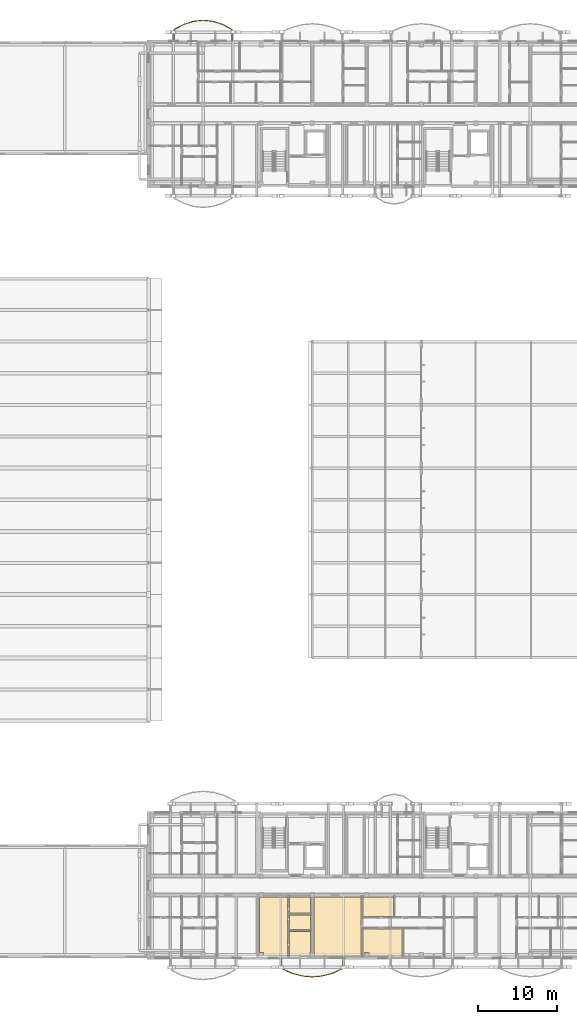
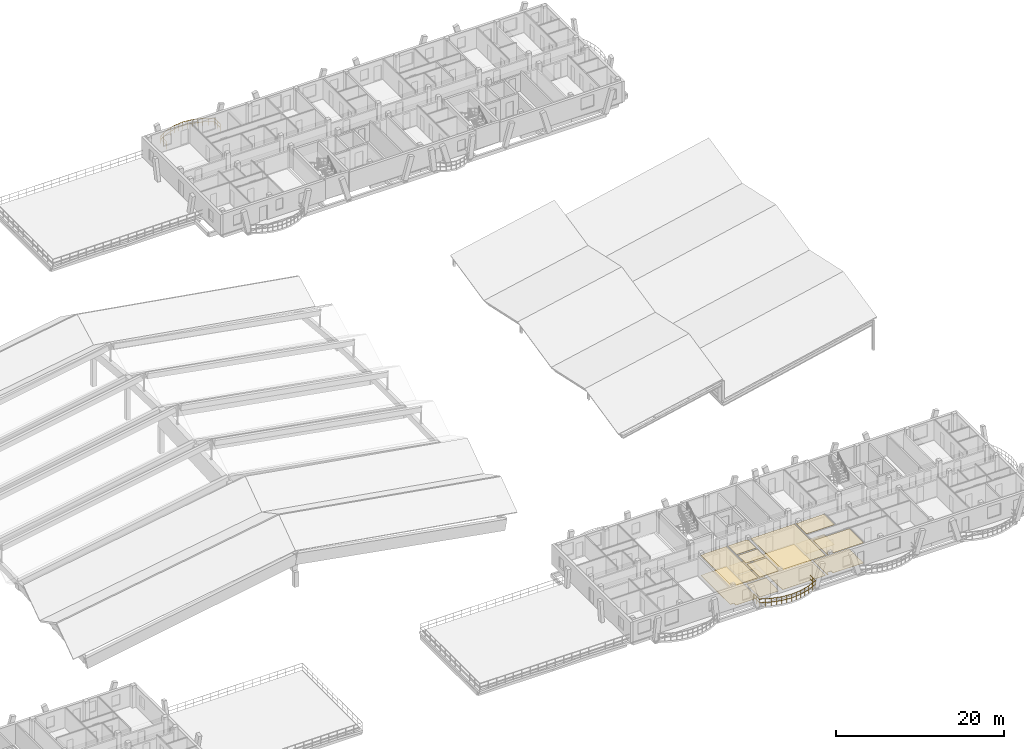
# One storey, part 100 of 109: 14 coverings, 2 railings.
"""IFC4 building model written with IfcOpenShell, lengths in metres."""

from ifc_helpers import new_model, si_unit, direction, frame, origin, origin_2d, place, context, subcontext, project, spatial, polyline, rectangle, outline, extrude, material, layer, layer_set, type_object, element, save


model = new_model("IFC4")

# Units and contexts
model_context = context("Model", 3, precision=1e-05, world=origin(), true_north=direction((0.0, 1.0)))
body_context = subcontext(model_context, "Body", "Model", "MODEL_VIEW")
ifc_project = project(units=[si_unit("LENGTHUNIT", "METRE"), si_unit("AREAUNIT", "SQUARE_METRE"), si_unit("VOLUMEUNIT", "CUBIC_METRE"), si_unit("PLANEANGLEUNIT", "RADIAN"), si_unit("MASSUNIT", "GRAM", prefix="KILO")], contexts=[model_context])

# Site, building, storey
site_placement = place(None, origin())
site = spatial("IfcSite", under=ifc_project, at=site_placement, CompositionType="ELEMENT")
building_placement = place(site_placement, origin())
building = spatial("IfcBuilding", under=site, at=building_placement, Name="Zavelmont Quarter", CompositionType="ELEMENT")
storey_placement = place(building_placement, frame((0.0, 0.0, 8.0)))
storey = spatial("IfcBuildingStorey", under=building, at=storey_placement, Name="L02", CompositionType="ELEMENT", Elevation=8.0)

# Coverings
ifc_material_1 = material(Name="Perforated acoustic gypsum board")
ifc_layer_1 = layer(ifc_material_1, 0.02490234375)
ifc_layer_set_1 = layer_set([ifc_layer_1], Name="Perforated acoustic gypsum board")
covering_type_1 = type_object("IfcCoveringType", Name="CV-CL01", PredefinedType="CEILING", material=ifc_layer_set_1)
covering_1_placement = place(storey_placement, frame((0.0, 0.0, 2.9150390625)))
element("IfcCovering", 1, at=covering_1_placement, inside=storey, type_object=covering_type_1, Name="L02 Living Dining acoustic ceiling", PredefinedType="CEILING", context=body_context, shape_type="SweptSolid", body=[
    extrude(outline(polyline([(126.830078125, 7.7099609375), (127.330078125, 7.7099609375), (127.330078125, 7.77001953125), (130.3701171875, 7.77001953125), (130.3701171875, 0.280029296875), (127.330078125, 0.280029296875), (127.330078125, 0.72998046875), (126.830078125, 0.72998046875), (126.830078125, 7.7099609375)])), origin(), (0.0, 0.0, 1.0), 0.02490234375),
])
covering_2_placement = place(storey_placement, frame((0.0, 0.0, 2.9150390625)))
element("IfcCovering", 2, at=covering_2_placement, inside=storey, type_object=covering_type_1, Name="L02 Kitchen acoustic ceiling", PredefinedType="CEILING", context=body_context, shape_type="SweptSolid", body=[
    extrude(outline(polyline([(130.6298828125, 7.77001953125), (133.2099609375, 7.77001953125), (133.2099609375, 7.7099609375), (133.27001953125, 7.7099609375), (133.27001953125, 5.72998046875), (130.6298828125, 5.72998046875), (130.6298828125, 7.77001953125)])), origin(), (0.0, 0.0, 1.0), 0.02490234375),
])
covering_3_placement = place(storey_placement, frame((0.0, 0.0, 2.9150390625)))
element("IfcCovering", 3, at=covering_3_placement, inside=storey, type_object=covering_type_1, Name="L02 Single Bedroom acoustic ceiling", PredefinedType="CEILING", context=body_context, shape_type="SweptSolid", body=[
    extrude(outline(polyline([(130.6298828125, 3.3701171875), (133.27001953125, 3.3701171875), (133.27001953125, 0.72998046875), (133.2099609375, 0.72998046875), (133.2099609375, 0.280029296875), (130.6298828125, 0.280029296875), (130.6298828125, 3.3701171875)])), origin(), (0.0, 0.0, 1.0), 0.02490234375),
])
covering_4_placement = place(storey_placement, frame((0.0, 0.0, 2.9150390625)))
element("IfcCovering", 4, at=covering_4_placement, inside=storey, type_object=covering_type_1, Name="L02 Living Dining acoustic ceiling", PredefinedType="CEILING", context=body_context, shape_type="SweptSolid", body=[
    extrude(outline(polyline([(133.72998046875, 7.7099609375), (133.7900390625, 7.7099609375), (133.7900390625, 7.77001953125), (139.669921875, 7.77001953125), (139.669921875, 0.280029296875), (133.7900390625, 0.280029296875), (133.7900390625, 0.72998046875), (133.72998046875, 0.72998046875), (133.72998046875, 7.7099609375)])), origin(), (0.0, 0.0, 1.0), 0.02490234375),
])
covering_5_placement = place(storey_placement, frame((0.0, 0.0, 2.9150390625)))
element("IfcCovering", 5, at=covering_5_placement, inside=storey, type_object=covering_type_1, Name="L02 Kitchen acoustic ceiling", PredefinedType="CEILING", context=body_context, shape_type="SweptSolid", body=[
    extrude(outline(polyline([(139.929931640625, 7.77001953125), (140.110107421875, 7.77001953125), (140.110107421875, 7.7099609375), (140.68994140625, 7.7099609375), (140.68994140625, 7.77001953125), (143.77001953125, 7.77001953125), (143.77001953125, 5.280029296875), (139.929931640625, 5.280029296875), (139.929931640625, 7.77001953125)])), origin(), (0.0, 0.0, 1.0), 0.02490234375),
])
covering_6_placement = place(storey_placement, frame((0.0, 0.0, 2.9150390625)))
element("IfcCovering", 6, at=covering_6_placement, inside=storey, type_object=covering_type_1, Name="L02 Single Bedroom acoustic ceiling", PredefinedType="CEILING", context=body_context, shape_type="SweptSolid", body=[
    extrude(outline(polyline([(139.929931640625, 3.669921875), (144.8701171875, 3.669921875), (144.8701171875, 0.280029296875), (140.68994140625, 0.280029296875), (140.68994140625, 0.72998046875), (140.110107421875, 0.72998046875), (140.110107421875, 0.280029296875), (139.929931640625, 0.280029296875), (139.929931640625, 3.669921875)])), origin(), (0.0, 0.0, 1.0), 0.02490234375),
])
ifc_material_2 = material(Name="Moisture-resistant painted gypsum ceiling")
ifc_layer_2 = layer(ifc_material_2, 0.02001953125)
ifc_layer_set_2 = layer_set([ifc_layer_2], Name="Moisture-resistant painted gypsum ceiling")
covering_type_2 = type_object("IfcCoveringType", Name="CV-CL04", PredefinedType="CEILING", material=ifc_layer_set_2)
covering_7_placement = place(storey_placement, frame((0.0, 0.0, 2.919921875)))
element("IfcCovering", 7, at=covering_7_placement, inside=storey, type_object=covering_type_2, Name="L02 Bathroom acoustic ceiling", PredefinedType="CEILING", context=body_context, shape_type="SweptSolid", body=[
    extrude(outline(polyline([(130.6298828125, 5.469970703125), (133.27001953125, 5.469970703125), (133.27001953125, 3.6298828125), (130.6298828125, 3.6298828125), (130.6298828125, 5.469970703125)])), origin(), (0.0, 0.0, 1.0), 0.02001953125),
])
ifc_material_3 = material(Name="Engineered European oak parquet")
ifc_layer_3 = layer(ifc_material_3, 0.02197265625)
ifc_layer_set_3 = layer_set([ifc_layer_3], Name="Engineered European oak parquet")
covering_type_3 = type_object("IfcCoveringType", Name="CV-FL01", PredefinedType="FLOORING", material=ifc_layer_set_3)
covering_8_placement = place(storey_placement, origin())
element("IfcCovering", 8, at=covering_8_placement, inside=storey, type_object=covering_type_3, Name="L02 Living Dining floor finish", PredefinedType="FLOORING", context=body_context, shape_type="SweptSolid", body=[
    extrude(outline(polyline([(126.830078125, 7.7099609375), (127.330078125, 7.7099609375), (127.330078125, 7.77001953125), (130.3701171875, 7.77001953125), (130.3701171875, 0.280029296875), (127.330078125, 0.280029296875), (127.330078125, 0.72998046875), (126.830078125, 0.72998046875), (126.830078125, 7.7099609375)])), origin(), (0.0, 0.0, 1.0), 0.02197265625),
])
covering_9_placement = place(storey_placement, origin())
element("IfcCovering", 9, at=covering_9_placement, inside=storey, type_object=covering_type_3, Name="L02 Kitchen floor finish", PredefinedType="FLOORING", context=body_context, shape_type="SweptSolid", body=[
    extrude(outline(polyline([(130.6298828125, 7.77001953125), (133.2099609375, 7.77001953125), (133.2099609375, 7.7099609375), (133.27001953125, 7.7099609375), (133.27001953125, 5.72998046875), (130.6298828125, 5.72998046875), (130.6298828125, 7.77001953125)])), origin(), (0.0, 0.0, 1.0), 0.02197265625),
])
covering_10_placement = place(storey_placement, origin())
element("IfcCovering", 10, at=covering_10_placement, inside=storey, type_object=covering_type_3, Name="L02 Single Bedroom floor finish", PredefinedType="FLOORING", context=body_context, shape_type="SweptSolid", body=[
    extrude(outline(polyline([(130.6298828125, 3.3701171875), (133.27001953125, 3.3701171875), (133.27001953125, 0.72998046875), (133.2099609375, 0.72998046875), (133.2099609375, 0.280029296875), (130.6298828125, 0.280029296875), (130.6298828125, 3.3701171875)])), origin(), (0.0, 0.0, 1.0), 0.02197265625),
])
covering_11_placement = place(storey_placement, origin())
element("IfcCovering", 11, at=covering_11_placement, inside=storey, type_object=covering_type_3, Name="L02 Living Dining floor finish", PredefinedType="FLOORING", context=body_context, shape_type="SweptSolid", body=[
    extrude(outline(polyline([(133.72998046875, 7.7099609375), (133.7900390625, 7.7099609375), (133.7900390625, 7.77001953125), (139.669921875, 7.77001953125), (139.669921875, 0.280029296875), (133.7900390625, 0.280029296875), (133.7900390625, 0.72998046875), (133.72998046875, 0.72998046875), (133.72998046875, 7.7099609375)])), origin(), (0.0, 0.0, 1.0), 0.02197265625),
])
covering_12_placement = place(storey_placement, origin())
element("IfcCovering", 12, at=covering_12_placement, inside=storey, type_object=covering_type_3, Name="L02 Kitchen floor finish", PredefinedType="FLOORING", context=body_context, shape_type="SweptSolid", body=[
    extrude(outline(polyline([(139.929931640625, 7.77001953125), (140.110107421875, 7.77001953125), (140.110107421875, 7.7099609375), (140.68994140625, 7.7099609375), (140.68994140625, 7.77001953125), (143.77001953125, 7.77001953125), (143.77001953125, 5.280029296875), (139.929931640625, 5.280029296875), (139.929931640625, 7.77001953125)])), origin(), (0.0, 0.0, 1.0), 0.02197265625),
])
covering_13_placement = place(storey_placement, origin())
element("IfcCovering", 13, at=covering_13_placement, inside=storey, type_object=covering_type_3, Name="L02 Single Bedroom floor finish", PredefinedType="FLOORING", context=body_context, shape_type="SweptSolid", body=[
    extrude(outline(polyline([(139.929931640625, 3.669921875), (144.8701171875, 3.669921875), (144.8701171875, 0.280029296875), (140.68994140625, 0.280029296875), (140.68994140625, 0.72998046875), (140.110107421875, 0.72998046875), (140.110107421875, 0.280029296875), (139.929931640625, 0.280029296875), (139.929931640625, 3.669921875)])), origin(), (0.0, 0.0, 1.0), 0.02197265625),
])
ifc_material_4 = material(Name="Slip-resistant porcelain tile")
ifc_layer_4 = layer(ifc_material_4, 0.02587890625)
ifc_layer_set_4 = layer_set([ifc_layer_4], Name="Slip-resistant porcelain tile")
covering_type_4 = type_object("IfcCoveringType", Name="CV-FL04", PredefinedType="FLOORING", material=ifc_layer_set_4)
covering_14_placement = place(storey_placement, origin())
element("IfcCovering", 14, at=covering_14_placement, inside=storey, type_object=covering_type_4, Name="L02 Bathroom floor finish", PredefinedType="FLOORING", context=body_context, shape_type="SweptSolid", body=[
    extrude(outline(polyline([(130.6298828125, 5.469970703125), (133.27001953125, 5.469970703125), (133.27001953125, 3.6298828125), (130.6298828125, 3.6298828125), (130.6298828125, 5.469970703125)])), origin(), (0.0, 0.0, 1.0), 0.02587890625),
])

# Railings
ifc_material_5 = material(Name="Powder-coated steel and tempered double safety glass", Category="steel")
railing_type = type_object("IfcRailingType", Name="RL-BAL1", PredefinedType="BALUSTRADE", material=ifc_material_5)
railing_1_placement = place(storey_placement, frame((123.3740234375, 116.02001953125, 0.0)))
element("IfcRailing", 15, at=railing_1_placement, inside=storey, type_object=railing_type, Name="L02 Block C curved balcony guard RL-BAL1", PredefinedType="BALUSTRADE", context=body_context, shape_type="SweptSolid", body=[
    extrude(rectangle(XDim=0.048095703125, YDim=0.048095703125, at=origin_2d()), frame((0.0, 0.0, 1.076171875), z_axis=(0.0, 1.0, 0.0), x_axis=(-1.0, 0.0, 0.0)), (0.0, 0.0, 1.0), 1.468994140625),
    extrude(rectangle(XDim=0.048095703125, YDim=0.048095703125, at=origin_2d()), frame((0.0, 0.0, 0.550048828125), z_axis=(0.0, 1.0, 0.0), x_axis=(-1.0, 0.0, 0.0)), (0.0, 0.0, 1.0), 1.468994140625),
    extrude(rectangle(XDim=0.048095703125, YDim=0.048095703125, at=origin_2d()), frame((0.0, 1.468994140625, 1.076171875), z_axis=(-0.883316282418, 0.468777500757, 0.0), x_axis=(-0.468777500757, -0.883316282418, 0.0)), (0.0, 0.0, 1.0), 1.386474609375),
    extrude(rectangle(XDim=0.048095703125, YDim=0.048095703125, at=origin_2d()), frame((0.0, 1.468994140625, 0.550048828125), z_axis=(-0.883316282418, 0.468777500757, 0.0), x_axis=(-0.468777500757, -0.883316282418, 0.0)), (0.0, 0.0, 1.0), 1.386474609375),
    extrude(rectangle(XDim=0.048095703125, YDim=0.048095703125, at=origin_2d()), frame((-1.224609375, 2.118896484375, 1.076171875), z_axis=(-0.952815949757, 0.303548621952, 0.0), x_axis=(-0.303548621952, -0.952815949757, 0.0)), (0.0, 0.0, 1.0), 1.28515625),
    extrude(rectangle(XDim=0.048095703125, YDim=0.048095703125, at=origin_2d()), frame((-1.224609375, 2.118896484375, 0.550048828125), z_axis=(-0.952815949757, 0.303548621952, 0.0), x_axis=(-0.303548621952, -0.952815949757, 0.0)), (0.0, 0.0, 1.0), 1.28515625),
    extrude(rectangle(XDim=0.048095703125, YDim=0.048095703125, at=origin_2d()), frame((-2.44921875, 2.509033203125, 1.076171875), z_axis=(-0.994424789326, 0.105448273455, 0.0), x_axis=(-0.105448273455, -0.994424789326, 0.0)), (0.0, 0.0, 1.0), 1.231689453125),
    extrude(rectangle(XDim=0.048095703125, YDim=0.048095703125, at=origin_2d()), frame((-2.44921875, 2.509033203125, 0.550048828125), z_axis=(-0.994424789326, 0.105448273455, 0.0), x_axis=(-0.105448273455, -0.994424789326, 0.0)), (0.0, 0.0, 1.0), 1.231689453125),
    extrude(rectangle(XDim=0.048095703125, YDim=0.048095703125, at=origin_2d()), frame((-3.674072265625, 2.638916015625, 1.076171875), z_axis=(-0.994422584698, -0.105469062013, 0.0), x_axis=(0.105469062013, -0.994422584698, 0.0)), (0.0, 0.0, 1.0), 1.2314453125),
    extrude(rectangle(XDim=0.048095703125, YDim=0.048095703125, at=origin_2d()), frame((-3.674072265625, 2.638916015625, 0.550048828125), z_axis=(-0.994422584698, -0.105469062013, 0.0), x_axis=(0.105469062013, -0.994422584698, 0.0)), (0.0, 0.0, 1.0), 1.2314453125),
    extrude(rectangle(XDim=0.048095703125, YDim=0.048095703125, at=origin_2d()), frame((-4.898681640625, 2.509033203125, 1.076171875), z_axis=(-0.952833447826, -0.303493691374, 0.0), x_axis=(0.303493691374, -0.952833447826, 0.0)), (0.0, 0.0, 1.0), 1.285400390625),
    extrude(rectangle(XDim=0.048095703125, YDim=0.048095703125, at=origin_2d()), frame((-4.898681640625, 2.509033203125, 0.550048828125), z_axis=(-0.952833447826, -0.303493691374, 0.0), x_axis=(0.303493691374, -0.952833447826, 0.0)), (0.0, 0.0, 1.0), 1.285400390625),
    extrude(rectangle(XDim=0.048095703125, YDim=0.048095703125, at=origin_2d()), frame((-6.12353515625, 2.118896484375, 1.076171875), z_axis=(-0.883316282418, -0.468777500757, 0.0), x_axis=(0.468777500757, -0.883316282418, 0.0)), (0.0, 0.0, 1.0), 1.386474609375),
    extrude(rectangle(XDim=0.048095703125, YDim=0.048095703125, at=origin_2d()), frame((-6.12353515625, 2.118896484375, 0.550048828125), z_axis=(-0.883316282418, -0.468777500757, 0.0), x_axis=(0.468777500757, -0.883316282418, 0.0)), (0.0, 0.0, 1.0), 1.386474609375),
    extrude(rectangle(XDim=0.048095703125, YDim=0.048095703125, at=origin_2d()), frame((-7.34814453125, 1.468994140625, 1.076171875), z_axis=(0.0, -1.0, 0.0), x_axis=(1.0, 0.0, 0.0)), (0.0, 0.0, 1.0), 1.468994140625),
    extrude(rectangle(XDim=0.048095703125, YDim=0.048095703125, at=origin_2d()), frame((-7.34814453125, 1.468994140625, 0.550048828125), z_axis=(0.0, -1.0, 0.0), x_axis=(1.0, 0.0, 0.0)), (0.0, 0.0, 1.0), 1.468994140625),
    extrude(rectangle(XDim=0.0419921875, YDim=0.0419921875, at=origin_2d()), origin(), (0.0, 0.0, 1.0), 1.052001953125),
    extrude(rectangle(XDim=0.0419921875, YDim=0.0419921875, at=origin_2d()), frame((0.0, 0.734375, 0.0)), (0.0, 0.0, 1.0), 1.052001953125),
    extrude(rectangle(XDim=0.0419921875, YDim=0.0419921875, at=origin_2d()), frame((0.0, 1.468994140625, 0.0)), (0.0, 0.0, 1.0), 1.052001953125),
    extrude(rectangle(XDim=0.0419921875, YDim=0.0419921875, at=origin_2d()), frame((-0.6123046875, 1.7939453125, 0.0)), (0.0, 0.0, 1.0), 1.052001953125),
    extrude(rectangle(XDim=0.0419921875, YDim=0.0419921875, at=origin_2d()), frame((-1.224609375, 2.118896484375, 0.0)), (0.0, 0.0, 1.0), 1.052001953125),
    extrude(rectangle(XDim=0.0419921875, YDim=0.0419921875, at=origin_2d()), frame((-1.8369140625, 2.31396484375, 0.0)), (0.0, 0.0, 1.0), 1.052001953125),
    extrude(rectangle(XDim=0.0419921875, YDim=0.0419921875, at=origin_2d()), frame((-2.44921875, 2.509033203125, 0.0)), (0.0, 0.0, 1.0), 1.052001953125),
    extrude(rectangle(XDim=0.0419921875, YDim=0.0419921875, at=origin_2d()), frame((-3.0615234375, 2.573974609375, 0.0)), (0.0, 0.0, 1.0), 1.052001953125),
    extrude(rectangle(XDim=0.0419921875, YDim=0.0419921875, at=origin_2d()), frame((-3.674072265625, 2.638916015625, 0.0)), (0.0, 0.0, 1.0), 1.052001953125),
    extrude(rectangle(XDim=0.0419921875, YDim=0.0419921875, at=origin_2d()), frame((-4.286376953125, 2.573974609375, 0.0)), (0.0, 0.0, 1.0), 1.052001953125),
    extrude(rectangle(XDim=0.0419921875, YDim=0.0419921875, at=origin_2d()), frame((-4.898681640625, 2.509033203125, 0.0)), (0.0, 0.0, 1.0), 1.052001953125),
    extrude(rectangle(XDim=0.0419921875, YDim=0.0419921875, at=origin_2d()), frame((-5.51123046875, 2.31396484375, 0.0)), (0.0, 0.0, 1.0), 1.052001953125),
    extrude(rectangle(XDim=0.0419921875, YDim=0.0419921875, at=origin_2d()), frame((-6.12353515625, 2.118896484375, 0.0)), (0.0, 0.0, 1.0), 1.052001953125),
    extrude(rectangle(XDim=0.0419921875, YDim=0.0419921875, at=origin_2d()), frame((-6.73583984375, 1.7939453125, 0.0)), (0.0, 0.0, 1.0), 1.052001953125),
    extrude(rectangle(XDim=0.0419921875, YDim=0.0419921875, at=origin_2d()), frame((-7.34814453125, 1.468994140625, 0.0)), (0.0, 0.0, 1.0), 1.052001953125),
    extrude(rectangle(XDim=0.0419921875, YDim=0.0419921875, at=origin_2d()), frame((-7.34814453125, 0.734375, 0.0)), (0.0, 0.0, 1.0), 1.052001953125),
    extrude(rectangle(XDim=0.0419921875, YDim=0.0419921875, at=origin_2d()), frame((-7.34814453125, 0.0, 0.0)), (0.0, 0.0, 1.0), 1.052001953125),
])
railing_2_placement = place(storey_placement, frame((129.6416015625, -0.02001953125, 0.0)))
element("IfcRailing", 16, at=railing_2_placement, inside=storey, type_object=railing_type, Name="L02 Block D curved balcony guard RL-BAL1", PredefinedType="BALUSTRADE", context=body_context, shape_type="SweptSolid", body=[
    extrude(rectangle(XDim=0.048095703125, YDim=0.048095703125, at=origin_2d()), frame((0.0, 0.0, 1.076171875), z_axis=(0.0, -1.0, 0.0), x_axis=(1.0, 0.0, 0.0)), (0.0, 0.0, 1.0), 1.312744140625),
    extrude(rectangle(XDim=0.048095703125, YDim=0.048095703125, at=origin_2d()), frame((0.0, 0.0, 0.550048828125), z_axis=(0.0, -1.0, 0.0), x_axis=(1.0, 0.0, 0.0)), (0.0, 0.0, 1.0), 1.312744140625),
    extrude(rectangle(XDim=0.048095703125, YDim=0.048095703125, at=origin_2d()), frame((0.0, -1.312744140625, 1.076171875), z_axis=(0.911117201035, -0.412147359542, 0.0), x_axis=(0.412147359542, 0.911117201035, 0.0)), (0.0, 0.0, 1.0), 1.41162109375),
    extrude(rectangle(XDim=0.048095703125, YDim=0.048095703125, at=origin_2d()), frame((0.0, -1.312744140625, 0.550048828125), z_axis=(0.911117201035, -0.412147359542, 0.0), x_axis=(0.412147359542, 0.911117201035, 0.0)), (0.0, 0.0, 1.0), 1.41162109375),
    extrude(rectangle(XDim=0.048095703125, YDim=0.048095703125, at=origin_2d()), frame((1.2861328125, -1.89453125, 1.076171875), z_axis=(0.965075981526, -0.261970131659, 0.0), x_axis=(0.261970131659, 0.965075981526, 0.0)), (0.0, 0.0, 1.0), 1.332763671875),
    extrude(rectangle(XDim=0.048095703125, YDim=0.048095703125, at=origin_2d()), frame((1.2861328125, -1.89453125, 0.550048828125), z_axis=(0.965075981526, -0.261970131659, 0.0), x_axis=(0.261970131659, 0.965075981526, 0.0)), (0.0, 0.0, 1.0), 1.332763671875),
    extrude(rectangle(XDim=0.048095703125, YDim=0.048095703125, at=origin_2d()), frame((2.572265625, -2.24365234375, 1.076171875), z_axis=(0.995942645327, -0.089990261803, 0.0), x_axis=(0.089990261803, 0.995942645327, 0.0)), (0.0, 0.0, 1.0), 1.291259765625),
    extrude(rectangle(XDim=0.048095703125, YDim=0.048095703125, at=origin_2d()), frame((2.572265625, -2.24365234375, 0.550048828125), z_axis=(0.995942645327, -0.089990261803, 0.0), x_axis=(0.089990261803, 0.995942645327, 0.0)), (0.0, 0.0, 1.0), 1.291259765625),
    extrude(rectangle(XDim=0.048095703125, YDim=0.048095703125, at=origin_2d()), frame((3.8583984375, -2.35986328125, 1.076171875), z_axis=(0.995942645327, 0.089990261803, 0.0), x_axis=(-0.089990261803, 0.995942645327, 0.0)), (0.0, 0.0, 1.0), 1.291259765625),
    extrude(rectangle(XDim=0.048095703125, YDim=0.048095703125, at=origin_2d()), frame((3.8583984375, -2.35986328125, 0.550048828125), z_axis=(0.995942645327, 0.089990261803, 0.0), x_axis=(-0.089990261803, 0.995942645327, 0.0)), (0.0, 0.0, 1.0), 1.291259765625),
    extrude(rectangle(XDim=0.048095703125, YDim=0.048095703125, at=origin_2d()), frame((5.14453125, -2.24365234375, 1.076171875), z_axis=(0.965075981526, 0.261970131659, 0.0), x_axis=(-0.261970131659, 0.965075981526, 0.0)), (0.0, 0.0, 1.0), 1.332763671875),
    extrude(rectangle(XDim=0.048095703125, YDim=0.048095703125, at=origin_2d()), frame((5.14453125, -2.24365234375, 0.550048828125), z_axis=(0.965075981526, 0.261970131659, 0.0), x_axis=(-0.261970131659, 0.965075981526, 0.0)), (0.0, 0.0, 1.0), 1.332763671875),
    extrude(rectangle(XDim=0.048095703125, YDim=0.048095703125, at=origin_2d()), frame((6.4306640625, -1.89453125, 1.076171875), z_axis=(0.911117201035, 0.412147359542, 0.0), x_axis=(-0.412147359542, 0.911117201035, 0.0)), (0.0, 0.0, 1.0), 1.41162109375),
    extrude(rectangle(XDim=0.048095703125, YDim=0.048095703125, at=origin_2d()), frame((6.4306640625, -1.89453125, 0.550048828125), z_axis=(0.911117201035, 0.412147359542, 0.0), x_axis=(-0.412147359542, 0.911117201035, 0.0)), (0.0, 0.0, 1.0), 1.41162109375),
    extrude(rectangle(XDim=0.048095703125, YDim=0.048095703125, at=origin_2d()), frame((7.716796875, -1.312744140625, 1.076171875), z_axis=(0.0, 1.0, 0.0), x_axis=(-1.0, 0.0, 0.0)), (0.0, 0.0, 1.0), 1.312744140625),
    extrude(rectangle(XDim=0.048095703125, YDim=0.048095703125, at=origin_2d()), frame((7.716796875, -1.312744140625, 0.550048828125), z_axis=(0.0, 1.0, 0.0), x_axis=(-1.0, 0.0, 0.0)), (0.0, 0.0, 1.0), 1.312744140625),
    extrude(rectangle(XDim=0.0419921875, YDim=0.0419921875, at=origin_2d()), origin(), (0.0, 0.0, 1.0), 1.052001953125),
    extrude(rectangle(XDim=0.0419921875, YDim=0.0419921875, at=origin_2d()), frame((0.0, -0.65625, 0.0)), (0.0, 0.0, 1.0), 1.052001953125),
    extrude(rectangle(XDim=0.0419921875, YDim=0.0419921875, at=origin_2d()), frame((0.0, -1.312744140625, 0.0)), (0.0, 0.0, 1.0), 1.052001953125),
    extrude(rectangle(XDim=0.0419921875, YDim=0.0419921875, at=origin_2d()), frame((0.64306640625, -1.603515625, 0.0)), (0.0, 0.0, 1.0), 1.052001953125),
    extrude(rectangle(XDim=0.0419921875, YDim=0.0419921875, at=origin_2d()), frame((1.2861328125, -1.89453125, 0.0)), (0.0, 0.0, 1.0), 1.052001953125),
    extrude(rectangle(XDim=0.0419921875, YDim=0.0419921875, at=origin_2d()), frame((1.92919921875, -2.069091796875, 0.0)), (0.0, 0.0, 1.0), 1.052001953125),
    extrude(rectangle(XDim=0.0419921875, YDim=0.0419921875, at=origin_2d()), frame((2.572265625, -2.24365234375, 0.0)), (0.0, 0.0, 1.0), 1.052001953125),
    extrude(rectangle(XDim=0.0419921875, YDim=0.0419921875, at=origin_2d()), frame((3.21533203125, -2.3017578125, 0.0)), (0.0, 0.0, 1.0), 1.052001953125),
    extrude(rectangle(XDim=0.0419921875, YDim=0.0419921875, at=origin_2d()), frame((3.8583984375, -2.35986328125, 0.0)), (0.0, 0.0, 1.0), 1.052001953125),
    extrude(rectangle(XDim=0.0419921875, YDim=0.0419921875, at=origin_2d()), frame((4.50146484375, -2.3017578125, 0.0)), (0.0, 0.0, 1.0), 1.052001953125),
    extrude(rectangle(XDim=0.0419921875, YDim=0.0419921875, at=origin_2d()), frame((5.14453125, -2.24365234375, 0.0)), (0.0, 0.0, 1.0), 1.052001953125),
    extrude(rectangle(XDim=0.0419921875, YDim=0.0419921875, at=origin_2d()), frame((5.78759765625, -2.069091796875, 0.0)), (0.0, 0.0, 1.0), 1.052001953125),
    extrude(rectangle(XDim=0.0419921875, YDim=0.0419921875, at=origin_2d()), frame((6.4306640625, -1.89453125, 0.0)), (0.0, 0.0, 1.0), 1.052001953125),
    extrude(rectangle(XDim=0.0419921875, YDim=0.0419921875, at=origin_2d()), frame((7.07373046875, -1.603515625, 0.0)), (0.0, 0.0, 1.0), 1.052001953125),
    extrude(rectangle(XDim=0.0419921875, YDim=0.0419921875, at=origin_2d()), frame((7.716796875, -1.312744140625, 0.0)), (0.0, 0.0, 1.0), 1.052001953125),
    extrude(rectangle(XDim=0.0419921875, YDim=0.0419921875, at=origin_2d()), frame((7.716796875, -0.65625, 0.0)), (0.0, 0.0, 1.0), 1.052001953125),
    extrude(rectangle(XDim=0.0419921875, YDim=0.0419921875, at=origin_2d()), frame((7.716796875, 0.0, 0.0)), (0.0, 0.0, 1.0), 1.052001953125),
])

save(model, "model.ifc")
